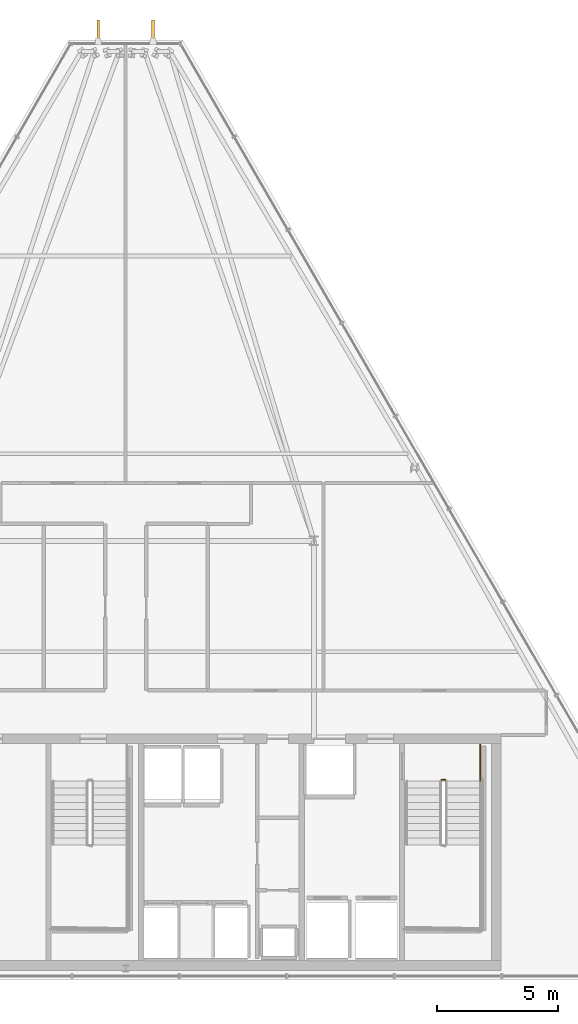
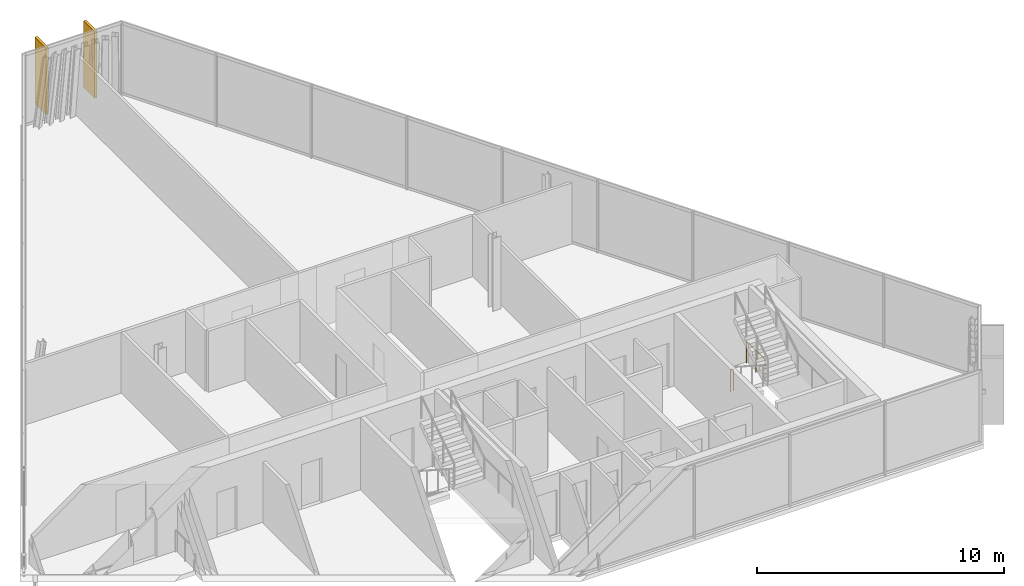
# One storey, part 32 of 32: 2 railings, 2 shading devices.
"""IFC4 building model written with IfcOpenShell, lengths in metres."""

from ifc_helpers import new_model, si_unit, direction, frame, origin, origin_2d, place, context, subcontext, project, spatial, rectangle, circle, extrude, material, layer, layer_set, type_object, element, save


model = new_model("IFC4")

# Units and contexts
model_context = context("Model", 3, precision=1e-05, world=origin(), true_north=direction((0.0, 1.0)))
body_context = subcontext(model_context, "Body", "Model", "MODEL_VIEW")
ifc_project = project(units=[si_unit("LENGTHUNIT", "METRE"), si_unit("AREAUNIT", "SQUARE_METRE"), si_unit("VOLUMEUNIT", "CUBIC_METRE"), si_unit("PLANEANGLEUNIT", "RADIAN"), si_unit("MASSUNIT", "GRAM", prefix="KILO")], contexts=[model_context])

# Site, building, storey
site_placement = place(None, origin())
site = spatial("IfcSite", under=ifc_project, at=site_placement, CompositionType="ELEMENT")
building_placement = place(site_placement, origin())
building = spatial("IfcBuilding", under=site, at=building_placement, Name="Ndaravel Arena Tower", CompositionType="ELEMENT")
storey_placement = place(building_placement, frame((0.0, 0.0, 290.89990234375)))
storey = spatial("IfcBuildingStorey", under=building, at=storey_placement, Name="L71", CompositionType="ELEMENT", Elevation=290.89990234375)

# Railings
ifc_material_1 = material(Name="Steel S355", Category="steel")
ifc_layer = layer(ifc_material_1, 0.06005859375)
ifc_layer_set = layer_set([ifc_layer], Name="Steel S355")
railing_type = type_object("IfcRailingType", Name="RAIL-STAIR-GD1100", PredefinedType="GUARDRAIL", material=ifc_layer_set)
railing_1_placement = place(storey_placement, frame((55.10009765625, 13.300048828125, 0.0)))
element("IfcRailing", 1, at=railing_1_placement, inside=storey, type_object=railing_type, Name="L71 ST-3 stair guard 4", PredefinedType="GUARDRAIL", context=body_context, shape_type="SweptSolid", body=[
    extrude(circle(Radius=0.02392578125, at=origin_2d()), frame((0.0, 0.0, 1.076171875), z_axis=(1.0, 0.0, 0.0), x_axis=(0.0, 1.0, 0.0)), (0.0, 0.0, 1.0), 0.139892578125),
    extrude(circle(Radius=0.02099609375, at=origin_2d()), origin(), (0.0, 0.0, 1.0), 1.052001953125),
    extrude(circle(Radius=0.02099609375, at=origin_2d()), frame((0.139892578125, 0.0, 0.0)), (0.0, 0.0, 1.0), 1.052001953125),
])
railing_2_placement = place(storey_placement, frame((56.68994140625, 14.75, 0.0)))
element("IfcRailing", 2, at=railing_2_placement, inside=storey, type_object=railing_type, Name="L71 ST-3 stair guard 5", PredefinedType="GUARDRAIL", context=body_context, shape_type="SweptSolid", body=[
    extrude(circle(Radius=0.02392578125, at=origin_2d()), frame((0.0, 0.0, 1.076171875), z_axis=(0.0, -1.0, 0.0), x_axis=(1.0, 0.0, 0.0)), (0.0, 0.0, 1.0), 1.5),
    extrude(circle(Radius=0.02099609375, at=origin_2d()), origin(), (0.0, 0.0, 1.0), 1.052001953125),
    extrude(circle(Radius=0.02099609375, at=origin_2d()), frame((0.0, -0.75, 0.0)), (0.0, 0.0, 1.0), 1.052001953125),
    extrude(circle(Radius=0.02099609375, at=origin_2d()), frame((0.0, -1.5, 0.0)), (0.0, 0.0, 1.0), 1.052001953125),
])

# Shading devices
ifc_material_2 = material(Name="Masonry", Category="masonry")
shading_device_type = type_object("IfcShadingDeviceType", Name="SHD-MAZERAS-FIN", PredefinedType="SHUTTER", material=ifc_material_2)
for number, where, z_axis, x_axis, name in (
    (3, (43.13623046875, 44.331787109375, 0.14990234375), (0.0, 0.0, 1.0), (0.0, 1.0, 0.0), "L71 Mazeras Stone Solar Fin E4.1"),
    (4, (40.86376953125, 44.331787109375, 0.14990234375), (0.0, 0.0, 1.0), (0.0, 1.0, 0.0), "L71 Mazeras Stone Solar Fin E4.2"),
):
    element("IfcShadingDevice", number, at=place(storey_placement, frame(where, z_axis=z_axis, x_axis=x_axis)), inside=storey, type_object=shading_device_type, Name=name, PredefinedType="SHUTTER", context=body_context, shape_type="SweptSolid", body=[
        extrude(rectangle(XDim=0.89990234375, YDim=0.1201171875, at=origin_2d()), origin(), (0.0, 0.0, 1.0), 3.280029296875),
    ])

save(model, "model.ifc")
